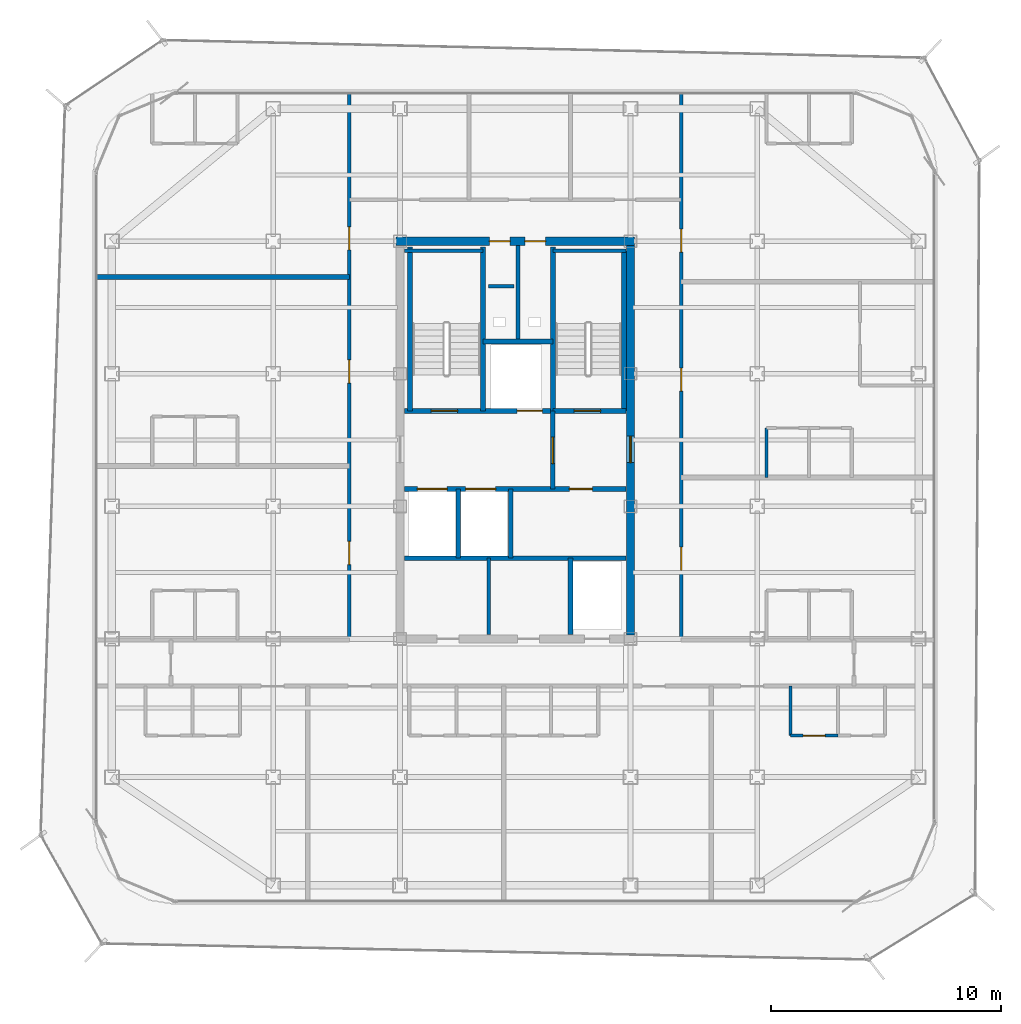
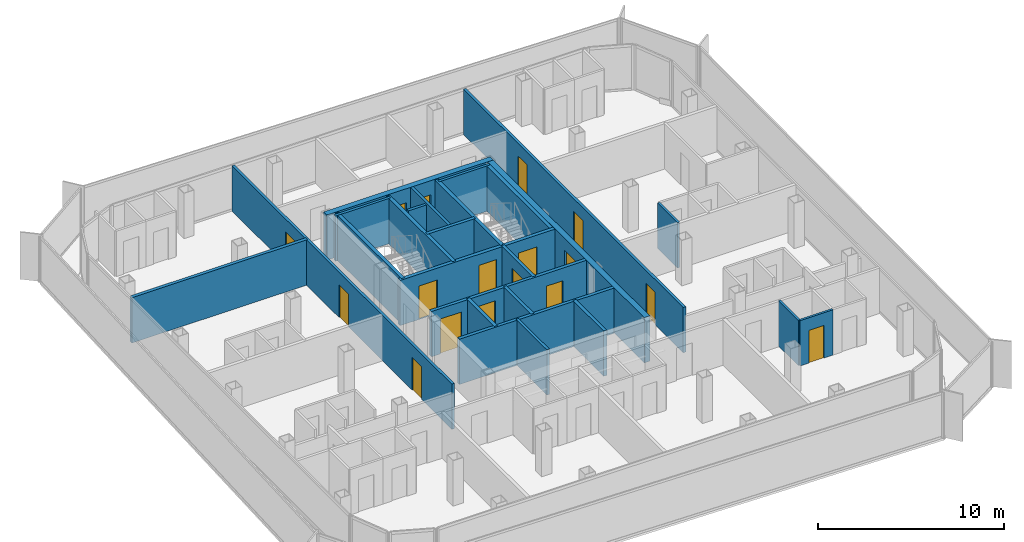
# One storey, part 11 of 16: 26 walls, 17 doors, 17 openings.
"""IFC4 building model written with IfcOpenShell, lengths in metres."""

from ifc_helpers import new_model, si_unit, direction, frame, frame_2d, origin, place, context, subcontext, project, spatial, rectangle, extrude, material, layer, layer_set, type_object, element, fill, save


model = new_model("IFC4")

# Units and contexts
model_context = context("Model", 3, precision=1e-05, world=origin(), true_north=direction((0.0, 1.0)))
body_context = subcontext(model_context, "Body", "Model", "MODEL_VIEW")
ifc_project = project(units=[si_unit("LENGTHUNIT", "METRE"), si_unit("AREAUNIT", "SQUARE_METRE"), si_unit("VOLUMEUNIT", "CUBIC_METRE"), si_unit("PLANEANGLEUNIT", "RADIAN"), si_unit("MASSUNIT", "GRAM", prefix="KILO")], contexts=[model_context])

# Site, building, storey
site_placement = place(None, origin())
site = spatial("IfcSite", under=ifc_project, at=site_placement, CompositionType="ELEMENT")
building_placement = place(site_placement, origin())
building = spatial("IfcBuilding", under=site, at=building_placement, Name="Kolveth Station Tower", CompositionType="ELEMENT")
storey_placement = place(building_placement, frame((0.0, 0.0, 232.89990234375)))
storey = spatial("IfcBuildingStorey", under=building, at=storey_placement, Name="L66", CompositionType="ELEMENT", Elevation=232.89990234375)

# Wall, openings, doors
ifc_material_1 = material(Name="Concrete C50/60", Category="concrete")
ifc_layer_1 = layer(ifc_material_1, 0.35009765625)
ifc_layer_set_1 = layer_set([ifc_layer_1], Name="Concrete C50/60")
wall_type_1 = type_object("IfcWallType", Name="Wall_CW-350", PredefinedType="SHEAR", material=ifc_layer_set_1)
wall_1_placement = place(storey_placement, frame((18.324951171875, 28.75, 0.0), z_axis=(0.0, 0.0, 1.0), x_axis=(1.0, 0.0, 0.0)))
wall_1 = element("IfcWall", 1, at=wall_1_placement, inside=storey, type_object=wall_type_1, Name="L66 Core RC Shear Wall N", PredefinedType="SHEAR", context=body_context, shape_type="SweptSolid", body=[
    extrude(rectangle(XDim=10.35009765625, YDim=0.35009765625, at=frame_2d((5.175048828125, 0.0))), origin(), (0.0, 0.0, 1.0), 2.97998046875),
])
opening_1_placement = place(wall_1_placement, frame((4.054931640625, 0.0, 0.0)))
opening_1 = element("IfcOpeningElement", 2, at=opening_1_placement, cuts=wall_1, Name="Opening RD1", PredefinedType="OPENING", context=body_context, shape_type="SweptSolid", body=[
    extrude(rectangle(XDim=0.89990234375, YDim=2.050048828125, at=frame_2d((0.449951171875, 1.02490234375))), frame((0.0, 0.18505859375, 0.0), z_axis=(0.0, -1.0, 0.0), x_axis=(1.0, 0.0, 0.0)), (0.0, 0.0, 1.0), 0.3701171875),
])
opening_2_placement = place(wall_1_placement, frame((5.594970703125, 0.0, 0.0)))
opening_2 = element("IfcOpeningElement", 3, at=opening_2_placement, cuts=wall_1, Name="Opening RD1", PredefinedType="OPENING", context=body_context, shape_type="SweptSolid", body=[
    extrude(rectangle(XDim=0.89990234375, YDim=2.050048828125, at=frame_2d((0.449951171875, 1.02490234375))), frame((0.0, 0.18505859375, 0.0), z_axis=(0.0, -1.0, 0.0), x_axis=(1.0, 0.0, 0.0)), (0.0, 0.0, 1.0), 0.3701171875),
])
ifc_material_2 = material(Name="Fire-rated Steel S355 riser access leaf", Category="steel")
door_type_1 = type_object("IfcDoorType", Name="Door_RD1", OperationType="NOTDEFINED", PredefinedType="DOOR", material=ifc_material_2)
door_1_placement = place(opening_1_placement, origin())
door_1 = element("IfcDoor", 4, at=door_1_placement, inside=storey, type_object=door_type_1, Name="L66 Electrical Riser Access Door", OperationType="SINGLE_SWING_RIGHT", OverallHeight=2.050048828125, OverallWidth=0.89990234375, PredefinedType="DOOR", context=body_context, shape_type="SweptSolid", body=[
    extrude(rectangle(XDim=0.89990234375, YDim=2.050048828125, at=frame_2d((0.449951171875, 1.02490234375))), frame((0.0, 0.02490234375, 0.0), z_axis=(0.0, -1.0, 0.0), x_axis=(1.0, 0.0, 0.0)), (0.0, 0.0, 1.0), 0.050048828125),
])
fill(opening_1, door_1)
door_2_placement = place(opening_2_placement, origin())
door_2 = element("IfcDoor", 5, at=door_2_placement, inside=storey, type_object=door_type_1, Name="L66 Smoke Duct Access Door", OperationType="SINGLE_SWING_LEFT", OverallHeight=2.050048828125, OverallWidth=0.89990234375, PredefinedType="DOOR", context=body_context, shape_type="SweptSolid", body=[
    extrude(rectangle(XDim=0.89990234375, YDim=2.050048828125, at=frame_2d((0.449951171875, 1.02490234375))), frame((0.0, 0.02490234375, 0.0), z_axis=(0.0, -1.0, 0.0), x_axis=(1.0, 0.0, 0.0)), (0.0, 0.0, 1.0), 0.050048828125),
])
fill(opening_2, door_2)

# Wall, opening, door
wall_2_placement = place(storey_placement, frame((28.5, 11.675048828125, 0.0), z_axis=(0.0, 0.0, 1.0), x_axis=(0.0, 1.0, 0.0)))
wall_2 = element("IfcWall", 6, at=wall_2_placement, inside=storey, type_object=wall_type_1, Name="L66 Core RC Shear Wall E", PredefinedType="SHEAR", context=body_context, shape_type="SweptSolid", body=[
    extrude(rectangle(XDim=16.89990234375, YDim=0.35009765625, at=frame_2d((8.449951171875, 0.0))), origin(), (0.0, 0.0, 1.0), 2.97998046875),
])
opening_3_placement = place(wall_2_placement, frame((7.47509765625, 0.0, 0.0)))
opening_3 = element("IfcOpeningElement", 7, at=opening_3_placement, cuts=wall_2, Name="Opening FD1", PredefinedType="OPENING", context=body_context, shape_type="SweptSolid", body=[
    extrude(rectangle(XDim=1.14990234375, YDim=2.199951171875, at=frame_2d((0.574951171875, 1.10009765625))), frame((0.0, 0.18505859375, 0.0), z_axis=(0.0, -1.0, 0.0), x_axis=(1.0, 0.0, 0.0)), (0.0, 0.0, 1.0), 0.3701171875),
])
ifc_material_3 = material(Name="Fire-rated Steel S355 leaf and frame", Category="steel")
door_type_2 = type_object("IfcDoorType", Name="Door_FD1", OperationType="NOTDEFINED", PredefinedType="DOOR", material=ifc_material_3)
door_3_placement = place(opening_3_placement, origin())
door_3 = element("IfcDoor", 8, at=door_3_placement, inside=storey, type_object=door_type_2, Name="L66 East Corridor to Stair Lobby Door", OperationType="SINGLE_SWING_LEFT", OverallHeight=2.199951171875, OverallWidth=1.14990234375, PredefinedType="DOOR", context=body_context, shape_type="SweptSolid", body=[
    extrude(rectangle(XDim=1.14990234375, YDim=2.199951171875, at=frame_2d((0.574951171875, 1.10009765625))), frame((0.0, 0.02490234375, 0.0), z_axis=(0.0, -1.0, 0.0), x_axis=(1.0, 0.0, 0.0)), (0.0, 0.0, 1.0), 0.050048828125),
])
fill(opening_3, door_3)

ifc_material_4 = material(Name="Moisture-resistant gypsum partition")
ifc_layer_2 = layer(ifc_material_4, 0.135009765625)
ifc_layer_set_2 = layer_set([ifc_layer_2], Name="Moisture-resistant gypsum partition")
wall_type_2 = type_object("IfcWallType", Name="Wall_IW-135", PredefinedType="PARTITIONING", material=ifc_layer_set_2)
wall_3_placement = place(storey_placement, frame((35.449951171875, 7.300048828125, 0.0), z_axis=(0.0, 0.0, 1.0), x_axis=(1.0, 0.0, 0.0)))
wall_3 = element("IfcWall", 9, at=wall_3_placement, inside=storey, type_object=wall_type_2, Name="L66 Partition Wall WL-L66-A4-IBHK", PredefinedType="PARTITIONING", context=body_context, shape_type="SweptSolid", body=[
    extrude(rectangle(XDim=2.050048828125, YDim=0.135009765625, at=frame_2d((1.02490234375, 0.0))), origin(), (0.0, 0.0, 1.0), 2.97998046875),
])
opening_4_placement = place(wall_3_placement, frame((0.544921875, 0.0, 0.0)))
opening_4 = element("IfcOpeningElement", 10, at=opening_4_placement, cuts=wall_3, Name="Opening ID1", PredefinedType="OPENING", context=body_context, shape_type="SweptSolid", body=[
    extrude(rectangle(XDim=0.949951171875, YDim=2.14990234375, at=frame_2d((0.47509765625, 1.074951171875))), frame((0.0, 0.077392578125, 0.0), z_axis=(0.0, -1.0, 0.0), x_axis=(1.0, 0.0, 0.0)), (0.0, 0.0, 1.0), 0.155029296875),
])
ifc_material_5 = material(Name="Acoustic hardwood leaf and aluminium frame", Category="wood")
door_type_3 = type_object("IfcDoorType", Name="Door_ID1", OperationType="NOTDEFINED", PredefinedType="DOOR", material=ifc_material_5)
door_4_placement = place(opening_4_placement, origin())
door_4 = element("IfcDoor", 11, at=door_4_placement, inside=storey, type_object=door_type_3, Name="Flat L66-A4 Kitchen Door", OperationType="SINGLE_SWING_LEFT", OverallHeight=2.14990234375, OverallWidth=0.949951171875, PredefinedType="DOOR", context=body_context, shape_type="SweptSolid", body=[
    extrude(rectangle(XDim=0.949951171875, YDim=2.14990234375, at=frame_2d((0.47509765625, 1.074951171875))), frame((0.0, 0.02490234375, 0.0), z_axis=(0.0, -1.0, 0.0), x_axis=(1.0, 0.0, 0.0)), (0.0, 0.0, 1.0), 0.050048828125),
])
fill(opening_4, door_4)

# Walls
for number, where, z_axis, x_axis, name in (
    (12, (35.449951171875, 7.300048828125, 0.0), (0.0, 0.0, 1.0), (0.0, 1.0, 0.0), "L66 Partition Wall WL-L66-A4-IBV0"),
    (13, (34.39990234375, 18.5, 0.0), (0.0, 0.0, 1.0), (0.0, 1.0, 0.0), "L66 Partition Wall WL-L66-E2-IBV0"),
):
    element("IfcWall", number, at=place(storey_placement, frame(where, z_axis=z_axis, x_axis=x_axis)), inside=storey, type_object=wall_type_2, Name=name, PredefinedType="PARTITIONING", context=body_context, shape_type="SweptSolid", body=[
        extrude(rectangle(XDim=2.14990234375, YDim=0.135009765625, at=frame_2d((1.074951171875, 0.0))), origin(), (0.0, 0.0, 1.0), 2.97998046875),
    ])
ifc_material_6 = material(Name="Acoustic double-stud gypsum partition")
ifc_layer_3 = layer(ifc_material_6, 0.1650390625)
ifc_layer_set_3 = layer_set([ifc_layer_3], Name="Acoustic double-stud gypsum partition")
wall_type_3 = type_object("IfcWallType", Name="Wall_IW-165", PredefinedType="PARTITIONING", material=ifc_layer_set_3)
wall_4_placement = place(storey_placement, frame((18.68505859375, 28.3349609375, 0.0), z_axis=(0.0, 0.0, 1.0), x_axis=(1.0, 0.0, 0.0)))
element("IfcWall", 14, at=wall_4_placement, inside=storey, type_object=wall_type_3, Name="L66 Stair Shaft Wall WL-L66-ST1-N", PredefinedType="PARTITIONING", context=body_context, shape_type="SweptSolid", body=[
    extrude(rectangle(XDim=3.425048828125, YDim=0.1650390625, at=frame_2d((1.71240234375, 0.0))), origin(), (0.0, 0.0, 1.0), 2.97998046875),
])
wall_5_placement = place(storey_placement, frame((25.1298828125, 28.3349609375, 0.0), z_axis=(0.0, 0.0, 1.0), x_axis=(1.0, 0.0, 0.0)))
element("IfcWall", 15, at=wall_5_placement, inside=storey, type_object=wall_type_3, Name="L66 Stair Shaft Wall WL-L66-ST2-N", PredefinedType="PARTITIONING", context=body_context, shape_type="SweptSolid", body=[
    extrude(rectangle(XDim=3.18505859375, YDim=0.1650390625, at=frame_2d((1.592529296875, 0.0))), origin(), (0.0, 0.0, 1.0), 2.97998046875),
])
wall_6_placement = place(storey_placement, frame((23.6201171875, 24.39990234375, 0.0), z_axis=(0.0, 0.0, 1.0), x_axis=(0.0, 1.0, 0.0)))
element("IfcWall", 16, at=wall_6_placement, inside=storey, type_object=wall_type_3, Name="L66 Partition Wall WL-L66-RSR-M", PredefinedType="PARTITIONING", context=body_context, shape_type="SweptSolid", body=[
    extrude(rectangle(XDim=4.1650390625, YDim=0.1650390625, at=frame_2d((2.08251953125, 0.0))), origin(), (0.0, 0.0, 1.0), 2.97998046875),
])
wall_7_placement = place(storey_placement, frame((22.35009765625, 11.68505859375, 0.0), z_axis=(0.0, 0.0, 1.0), x_axis=(0.0, 1.0, 0.0)))
element("IfcWall", 17, at=wall_7_placement, inside=storey, type_object=wall_type_3, Name="L66 Partition Wall WL-L66-FR-M", PredefinedType="PARTITIONING", context=body_context, shape_type="SweptSolid", body=[
    extrude(rectangle(XDim=3.31494140625, YDim=0.1650390625, at=frame_2d((1.657470703125, 0.0))), origin(), (0.0, 0.0, 1.0), 2.97998046875),
])

# Wall, openings, doors
wall_8_placement = place(storey_placement, frame((16.300048828125, 11.449951171875, 0.0), z_axis=(0.0, 0.0, 1.0), x_axis=(0.0, 1.0, 0.0)))
wall_8 = element("IfcWall", 18, at=wall_8_placement, inside=storey, type_object=wall_type_3, Name="L66 Partition Wall WL-L66-RW", PredefinedType="PARTITIONING", context=body_context, shape_type="SweptSolid", body=[
    extrude(rectangle(XDim=23.68994140625, YDim=0.1650390625, at=frame_2d((11.844970703125, 0.0))), origin(), (0.0, 0.0, 1.0), 2.97998046875),
])
opening_5_placement = place(wall_8_placement, frame((3.27490234375, 0.0, 0.0)))
opening_5 = element("IfcOpeningElement", 19, at=opening_5_placement, cuts=wall_8, Name="Opening FD3", PredefinedType="OPENING", context=body_context, shape_type="SweptSolid", body=[
    extrude(rectangle(XDim=1.0, YDim=2.14990234375, at=frame_2d((0.5, 1.074951171875))), frame((0.0, 0.092529296875, 0.0), z_axis=(0.0, -1.0, 0.0), x_axis=(1.0, 0.0, 0.0)), (0.0, 0.0, 1.0), 0.18505859375),
])
opening_6_placement = place(wall_8_placement, frame((11.14990234375, 0.0, 0.0)))
opening_6 = element("IfcOpeningElement", 20, at=opening_6_placement, cuts=wall_8, Name="Opening FD3", PredefinedType="OPENING", context=body_context, shape_type="SweptSolid", body=[
    extrude(rectangle(XDim=1.0, YDim=2.14990234375, at=frame_2d((0.5, 1.074951171875))), frame((0.0, 0.092529296875, 0.0), z_axis=(0.0, -1.0, 0.0), x_axis=(1.0, 0.0, 0.0)), (0.0, 0.0, 1.0), 0.18505859375),
])
opening_7_placement = place(wall_8_placement, frame((16.925048828125, 0.0, 0.0)))
opening_7 = element("IfcOpeningElement", 21, at=opening_7_placement, cuts=wall_8, Name="Opening FD3", PredefinedType="OPENING", context=body_context, shape_type="SweptSolid", body=[
    extrude(rectangle(XDim=1.0, YDim=2.14990234375, at=frame_2d((0.5, 1.074951171875))), frame((0.0, 0.092529296875, 0.0), z_axis=(0.0, -1.0, 0.0), x_axis=(1.0, 0.0, 0.0)), (0.0, 0.0, 1.0), 0.18505859375),
])
ifc_material_7 = material(Name="Fire-rated hardwood leaf and aluminium frame", Category="wood")
door_type_4 = type_object("IfcDoorType", Name="Door_FD3", OperationType="NOTDEFINED", PredefinedType="DOOR", material=ifc_material_7)
door_5_placement = place(opening_5_placement, origin())
door_5 = element("IfcDoor", 22, at=door_5_placement, inside=storey, type_object=door_type_4, Name="Flat L66-W1 Entrance Door", OperationType="SINGLE_SWING_RIGHT", OverallHeight=2.14990234375, OverallWidth=1.0, PredefinedType="DOOR", context=body_context, shape_type="SweptSolid", body=[
    extrude(rectangle(XDim=1.0, YDim=2.14990234375, at=frame_2d((0.5, 1.074951171875))), frame((0.0, 0.02490234375, 0.0), z_axis=(0.0, -1.0, 0.0), x_axis=(1.0, 0.0, 0.0)), (0.0, 0.0, 1.0), 0.050048828125),
])
fill(opening_5, door_5)
door_6_placement = place(opening_6_placement, origin())
door_6 = element("IfcDoor", 23, at=door_6_placement, inside=storey, type_object=door_type_4, Name="Flat L66-W2 Entrance Door", OperationType="SINGLE_SWING_LEFT", OverallHeight=2.14990234375, OverallWidth=1.0, PredefinedType="DOOR", context=body_context, shape_type="SweptSolid", body=[
    extrude(rectangle(XDim=1.0, YDim=2.14990234375, at=frame_2d((0.5, 1.074951171875))), frame((0.0, 0.02490234375, 0.0), z_axis=(0.0, -1.0, 0.0), x_axis=(1.0, 0.0, 0.0)), (0.0, 0.0, 1.0), 0.050048828125),
])
fill(opening_6, door_6)
door_7_placement = place(opening_7_placement, origin())
door_7 = element("IfcDoor", 24, at=door_7_placement, inside=storey, type_object=door_type_4, Name="Flat L66-W3 Entrance Door", OperationType="SINGLE_SWING_RIGHT", OverallHeight=2.14990234375, OverallWidth=1.0, PredefinedType="DOOR", context=body_context, shape_type="SweptSolid", body=[
    extrude(rectangle(XDim=1.0, YDim=2.14990234375, at=frame_2d((0.5, 1.074951171875))), frame((0.0, 0.02490234375, 0.0), z_axis=(0.0, -1.0, 0.0), x_axis=(1.0, 0.0, 0.0)), (0.0, 0.0, 1.0), 0.050048828125),
])
fill(opening_7, door_7)

wall_9_placement = place(storey_placement, frame((30.699951171875, 11.449951171875, 0.0), z_axis=(0.0, 0.0, 1.0), x_axis=(0.0, 1.0, 0.0)))
wall_9 = element("IfcWall", 25, at=wall_9_placement, inside=storey, type_object=wall_type_3, Name="L66 Partition Wall WL-L66-RE", PredefinedType="PARTITIONING", context=body_context, shape_type="SweptSolid", body=[
    extrude(rectangle(XDim=23.68994140625, YDim=0.1650390625, at=frame_2d((11.844970703125, 0.0))), origin(), (0.0, 0.0, 1.0), 2.97998046875),
])
opening_8_placement = place(wall_9_placement, frame((3.02490234375, 0.0, 0.0)))
opening_8 = element("IfcOpeningElement", 26, at=opening_8_placement, cuts=wall_9, Name="Opening FD3", PredefinedType="OPENING", context=body_context, shape_type="SweptSolid", body=[
    extrude(rectangle(XDim=1.0, YDim=2.14990234375, at=frame_2d((0.5, 1.074951171875))), frame((0.0, 0.092529296875, 0.0), z_axis=(0.0, -1.0, 0.0), x_axis=(1.0, 0.0, 0.0)), (0.0, 0.0, 1.0), 0.18505859375),
])
opening_9_placement = place(wall_9_placement, frame((10.800048828125, 0.0, 0.0)))
opening_9 = element("IfcOpeningElement", 27, at=opening_9_placement, cuts=wall_9, Name="Opening FD3", PredefinedType="OPENING", context=body_context, shape_type="SweptSolid", body=[
    extrude(rectangle(XDim=1.0, YDim=2.14990234375, at=frame_2d((0.5, 1.074951171875))), frame((0.0, 0.092529296875, 0.0), z_axis=(0.0, -1.0, 0.0), x_axis=(1.0, 0.0, 0.0)), (0.0, 0.0, 1.0), 0.18505859375),
])
opening_10_placement = place(wall_9_placement, frame((16.824951171875, 0.0, 0.0)))
opening_10 = element("IfcOpeningElement", 28, at=opening_10_placement, cuts=wall_9, Name="Opening FD3", PredefinedType="OPENING", context=body_context, shape_type="SweptSolid", body=[
    extrude(rectangle(XDim=1.0, YDim=2.14990234375, at=frame_2d((0.5, 1.074951171875))), frame((0.0, 0.092529296875, 0.0), z_axis=(0.0, -1.0, 0.0), x_axis=(1.0, 0.0, 0.0)), (0.0, 0.0, 1.0), 0.18505859375),
])
door_8_placement = place(opening_8_placement, frame((1.0, 0.0, 0.0), z_axis=(0.0, 0.0, 1.0), x_axis=(-1.0, 0.0, 0.0)))
door_8 = element("IfcDoor", 29, at=door_8_placement, inside=storey, type_object=door_type_4, Name="Flat L66-E1 Entrance Door", OperationType="SINGLE_SWING_LEFT", OverallHeight=2.14990234375, OverallWidth=1.0, PredefinedType="DOOR", context=body_context, shape_type="SweptSolid", body=[
    extrude(rectangle(XDim=1.0, YDim=2.14990234375, at=frame_2d((0.5, 1.074951171875))), frame((0.0, 0.02490234375, 0.0), z_axis=(0.0, -1.0, 0.0), x_axis=(1.0, 0.0, 0.0)), (0.0, 0.0, 1.0), 0.050048828125),
])
fill(opening_8, door_8)
door_9_placement = place(opening_9_placement, frame((1.0, 0.0, 0.0), z_axis=(0.0, 0.0, 1.0), x_axis=(-1.0, 0.0, 0.0)))
door_9 = element("IfcDoor", 30, at=door_9_placement, inside=storey, type_object=door_type_4, Name="Flat L66-E2 Entrance Door", OperationType="SINGLE_SWING_LEFT", OverallHeight=2.14990234375, OverallWidth=1.0, PredefinedType="DOOR", context=body_context, shape_type="SweptSolid", body=[
    extrude(rectangle(XDim=1.0, YDim=2.14990234375, at=frame_2d((0.5, 1.074951171875))), frame((0.0, 0.02490234375, 0.0), z_axis=(0.0, -1.0, 0.0), x_axis=(1.0, 0.0, 0.0)), (0.0, 0.0, 1.0), 0.050048828125),
])
fill(opening_9, door_9)
door_10_placement = place(opening_10_placement, frame((1.0, 0.0, 0.0), z_axis=(0.0, 0.0, 1.0), x_axis=(-1.0, 0.0, 0.0)))
door_10 = element("IfcDoor", 31, at=door_10_placement, inside=storey, type_object=door_type_4, Name="Flat L66-E3 Entrance Door", OperationType="SINGLE_SWING_RIGHT", OverallHeight=2.14990234375, OverallWidth=1.0, PredefinedType="DOOR", context=body_context, shape_type="SweptSolid", body=[
    extrude(rectangle(XDim=1.0, YDim=2.14990234375, at=frame_2d((0.5, 1.074951171875))), frame((0.0, 0.02490234375, 0.0), z_axis=(0.0, -1.0, 0.0), x_axis=(1.0, 0.0, 0.0)), (0.0, 0.0, 1.0), 0.050048828125),
])
fill(opening_10, door_10)

# Walls
wall_10_placement = place(storey_placement, frame((22.35009765625, 26.800048828125, 0.0), z_axis=(0.0, 0.0, 1.0), x_axis=(1.0, 0.0, 0.0)))
element("IfcWall", 32, at=wall_10_placement, inside=storey, type_object=wall_type_3, Name="L66 Acoustic Riser Dry-Lining Wall", PredefinedType="PARTITIONING", context=body_context, shape_type="SweptSolid", body=[
    extrude(rectangle(XDim=1.099853515625, YDim=0.1650390625, at=frame_2d((0.5498046875, 0.0))), origin(), (0.0, 0.0, 1.0), 2.97998046875),
])
ifc_material_8 = material(Name="Acoustic fire-rated gypsum blockwork", Category="masonry")
ifc_layer_4 = layer(ifc_material_8, 0.199951171875)
ifc_layer_set_4 = layer_set([ifc_layer_4], Name="Acoustic fire-rated gypsum blockwork")
wall_type_4 = type_object("IfcWallType", Name="Wall_IW-200", PredefinedType="PARTITIONING", material=ifc_layer_set_4)
wall_11_placement = place(storey_placement, frame((22.110107421875, 24.39990234375, 0.0), z_axis=(0.0, 0.0, 1.0), x_axis=(1.0, 0.0, 0.0)))
element("IfcWall", 33, at=wall_11_placement, inside=storey, type_object=wall_type_4, Name="L66 Partition Wall WL-L66-RSR-S", PredefinedType="PARTITIONING", context=body_context, shape_type="SweptSolid", body=[
    extrude(rectangle(XDim=3.019775390625, YDim=0.199951171875, at=frame_2d((1.509765625, 0.0))), origin(), (0.0, 0.0, 1.0), 2.97998046875),
])

# Wall, opening, door
wall_12_placement = place(storey_placement, frame((25.1298828125, 18.0, 0.0), z_axis=(0.0, 0.0, 1.0), x_axis=(0.0, 1.0, 0.0)))
wall_12 = element("IfcWall", 34, at=wall_12_placement, inside=storey, type_object=wall_type_4, Name="L66 Partition Wall WL-L66-FFL-E", PredefinedType="PARTITIONING", context=body_context, shape_type="SweptSolid", body=[
    extrude(rectangle(XDim=3.389892578125, YDim=0.199951171875, at=frame_2d((1.69482421875, 0.0))), origin(), (0.0, 0.0, 1.0), 2.97998046875),
])
opening_11_placement = place(wall_12_placement, frame((1.10009765625, 0.0, 0.0)))
opening_11 = element("IfcOpeningElement", 35, at=opening_11_placement, cuts=wall_12, Name="Opening FD1", PredefinedType="OPENING", context=body_context, shape_type="SweptSolid", body=[
    extrude(rectangle(XDim=1.14990234375, YDim=2.199951171875, at=frame_2d((0.574951171875, 1.10009765625))), frame((0.0, 0.10986328125, 0.0), z_axis=(0.0, -1.0, 0.0), x_axis=(1.0, 0.0, 0.0)), (0.0, 0.0, 1.0), 0.219970703125),
])
door_11_placement = place(opening_11_placement, origin())
door_11 = element("IfcDoor", 36, at=door_11_placement, inside=storey, type_object=door_type_2, Name="L66 Firefighting to Stair Lobby Door", OperationType="SINGLE_SWING_RIGHT", OverallHeight=2.199951171875, OverallWidth=1.14990234375, PredefinedType="DOOR", context=body_context, shape_type="SweptSolid", body=[
    extrude(rectangle(XDim=1.14990234375, YDim=2.199951171875, at=frame_2d((0.574951171875, 1.10009765625))), frame((0.0, 0.02490234375, 0.0), z_axis=(0.0, -1.0, 0.0), x_axis=(1.0, 0.0, 0.0)), (0.0, 0.0, 1.0), 0.050048828125),
])
fill(opening_11, door_11)

# Wall, openings, doors
wall_13_placement = place(storey_placement, frame((18.68505859375, 18.0, 0.0), z_axis=(0.0, 0.0, 1.0), x_axis=(1.0, 0.0, 0.0)))
wall_13 = element("IfcWall", 37, at=wall_13_placement, inside=storey, type_object=wall_type_4, Name="L66 Partition Wall WL-L66-FFL-S", PredefinedType="PARTITIONING", context=body_context, shape_type="SweptSolid", body=[
    extrude(rectangle(XDim=9.6298828125, YDim=0.199951171875, at=frame_2d((4.81494140625, 0.0))), origin(), (0.0, 0.0, 1.0), 2.97998046875),
])
opening_12_placement = place(wall_13_placement, frame((0.56494140625, 0.0, 0.0)))
opening_12 = element("IfcOpeningElement", 38, at=opening_12_placement, cuts=wall_13, Name="Opening LD2", PredefinedType="OPENING", context=body_context, shape_type="SweptSolid", body=[
    extrude(rectangle(XDim=1.300048828125, YDim=2.300048828125, at=frame_2d((0.64990234375, 1.14990234375))), frame((0.0, 0.10986328125, 0.0), z_axis=(0.0, -1.0, 0.0), x_axis=(1.0, 0.0, 0.0)), (0.0, 0.0, 1.0), 0.219970703125),
])
opening_13_placement = place(wall_13_placement, frame((2.6650390625, 0.0, 0.0)))
opening_13 = element("IfcOpeningElement", 39, at=opening_13_placement, cuts=wall_13, Name="Opening LD2", PredefinedType="OPENING", context=body_context, shape_type="SweptSolid", body=[
    extrude(rectangle(XDim=1.300048828125, YDim=2.300048828125, at=frame_2d((0.64990234375, 1.14990234375))), frame((0.0, 0.10986328125, 0.0), z_axis=(0.0, -1.0, 0.0), x_axis=(1.0, 0.0, 0.0)), (0.0, 0.0, 1.0), 0.219970703125),
])
opening_14_placement = place(wall_13_placement, frame((7.1650390625, 0.0, 0.0)))
opening_14 = element("IfcOpeningElement", 40, at=opening_14_placement, cuts=wall_13, Name="Opening FD3", PredefinedType="OPENING", context=body_context, shape_type="SweptSolid", body=[
    extrude(rectangle(XDim=1.0, YDim=2.14990234375, at=frame_2d((0.5, 1.074951171875))), frame((0.0, 0.10986328125, 0.0), z_axis=(0.0, -1.0, 0.0), x_axis=(1.0, 0.0, 0.0)), (0.0, 0.0, 1.0), 0.219970703125),
])
door_12_placement = place(opening_14_placement, frame((1.0, 0.0, 0.0), z_axis=(0.0, 0.0, 1.0), x_axis=(-1.0, 0.0, 0.0)))
door_12 = element("IfcDoor", 41, at=door_12_placement, inside=storey, type_object=door_type_4, Name="L66 Core Staff Pantry Door", OperationType="SINGLE_SWING_LEFT", OverallHeight=2.14990234375, OverallWidth=1.0, PredefinedType="DOOR", context=body_context, shape_type="SweptSolid", body=[
    extrude(rectangle(XDim=1.0, YDim=2.14990234375, at=frame_2d((0.5, 1.074951171875))), frame((0.0, 0.02490234375, 0.0), z_axis=(0.0, -1.0, 0.0), x_axis=(1.0, 0.0, 0.0)), (0.0, 0.0, 1.0), 0.050048828125),
])
fill(opening_14, door_12)
ifc_material_9 = material(Name="Firefighting stainless steel sliding landing doors", Category="steel")
door_type_5 = type_object("IfcDoorType", Name="Door_LD2", OperationType="NOTDEFINED", PredefinedType="DOOR", material=ifc_material_9)
door_13_placement = place(opening_12_placement, origin())
door_13 = element("IfcDoor", 42, at=door_13_placement, inside=storey, type_object=door_type_5, Name="L66 Firefighting Lift FF1 Landing Door", OperationType="DOUBLE_DOOR_SLIDING", OverallHeight=2.300048828125, OverallWidth=1.300048828125, PredefinedType="DOOR", context=body_context, shape_type="SweptSolid", body=[
    extrude(rectangle(XDim=1.300048828125, YDim=2.300048828125, at=frame_2d((0.64990234375, 1.14990234375))), frame((0.0, 0.02490234375, 0.0), z_axis=(0.0, -1.0, 0.0), x_axis=(1.0, 0.0, 0.0)), (0.0, 0.0, 1.0), 0.050048828125),
])
fill(opening_12, door_13)
door_14_placement = place(opening_13_placement, origin())
door_14 = element("IfcDoor", 43, at=door_14_placement, inside=storey, type_object=door_type_5, Name="L66 Firefighting Lift FF2 Landing Door", OperationType="DOUBLE_DOOR_SLIDING", OverallHeight=2.300048828125, OverallWidth=1.300048828125, PredefinedType="DOOR", context=body_context, shape_type="SweptSolid", body=[
    extrude(rectangle(XDim=1.300048828125, YDim=2.300048828125, at=frame_2d((0.64990234375, 1.14990234375))), frame((0.0, 0.02490234375, 0.0), z_axis=(0.0, -1.0, 0.0), x_axis=(1.0, 0.0, 0.0)), (0.0, 0.0, 1.0), 0.050048828125),
])
fill(opening_13, door_14)

# Walls
for number, where, z_axis, x_axis, name in (
    (44, (21.02001953125, 15.0, 0.0), (0.0, 0.0, 1.0), (0.0, 1.0, 0.0), "L66 Partition Wall WL-L66-FF12"),
    (45, (23.300048828125, 15.0, 0.0), (0.0, 0.0, 1.0), (0.0, 1.0, 0.0), "L66 Partition Wall WL-L66-FF2E"),
):
    element("IfcWall", number, at=place(storey_placement, frame(where, z_axis=z_axis, x_axis=x_axis)), inside=storey, type_object=wall_type_4, Name=name, PredefinedType="PARTITIONING", context=body_context, shape_type="SweptSolid", body=[
        extrude(rectangle(XDim=3.0, YDim=0.199951171875, at=frame_2d((1.5, 0.0))), origin(), (0.0, 0.0, 1.0), 2.97998046875),
    ])
wall_14_placement = place(storey_placement, frame((18.68505859375, 15.0, 0.0), z_axis=(0.0, 0.0, 1.0), x_axis=(1.0, 0.0, 0.0)))
element("IfcWall", 46, at=wall_14_placement, inside=storey, type_object=wall_type_4, Name="L66 Partition Wall WL-L66-BOH-S", PredefinedType="PARTITIONING", context=body_context, shape_type="SweptSolid", body=[
    extrude(rectangle(XDim=9.6298828125, YDim=0.199951171875, at=frame_2d((4.81494140625, 0.0))), origin(), (0.0, 0.0, 1.0), 2.97998046875),
])
wall_15_placement = place(storey_placement, frame((25.89990234375, 11.68505859375, 0.0), z_axis=(0.0, 0.0, 1.0), x_axis=(0.0, 1.0, 0.0)))
element("IfcWall", 47, at=wall_15_placement, inside=storey, type_object=wall_type_4, Name="L66 Partition Wall WL-L66-PMPH", PredefinedType="PARTITIONING", context=body_context, shape_type="SweptSolid", body=[
    extrude(rectangle(XDim=3.31494140625, YDim=0.199951171875, at=frame_2d((1.657470703125, 0.0))), origin(), (0.0, 0.0, 1.0), 2.97998046875),
])
wall_16_placement = place(storey_placement, frame((5.360107421875, 27.199951171875, 0.0), z_axis=(0.0, 0.0, 1.0), x_axis=(1.0, 0.0, 0.0)))
element("IfcWall", 48, at=wall_16_placement, inside=storey, type_object=wall_type_4, Name="L66 Partition Wall WL-L66-RWU-2", PredefinedType="PARTITIONING", context=body_context, shape_type="SweptSolid", body=[
    extrude(rectangle(XDim=10.93994140625, YDim=0.199951171875, at=frame_2d((5.469970703125, 0.0))), origin(), (0.0, 0.0, 1.0), 2.97998046875),
])
ifc_material_10 = material(Name="Concrete C40/50", Category="concrete")
ifc_layer_5 = layer(ifc_material_10, 0.219970703125)
ifc_layer_set_5 = layer_set([ifc_layer_5], Name="Concrete C40/50")
wall_type_5 = type_object("IfcWallType", Name="Wall_IW-220", PredefinedType="SOLIDWALL", material=ifc_layer_set_5)
for number, where, z_axis, x_axis, name in (
    (49, (18.929931640625, 21.389892578125, 0.0), (0.0, 0.0, 1.0), (0.0, 1.0, 0.0), "L66 Stair Shaft Wall WL-L66-ST1-W"),
    (50, (22.110107421875, 21.389892578125, 0.0), (0.0, 0.0, 1.0), (0.0, 1.0, 0.0), "L66 Stair Shaft Wall WL-L66-ST1-E"),
    (51, (25.1298828125, 21.389892578125, 0.0), (0.0, 0.0, 1.0), (0.0, 1.0, 0.0), "L66 Stair Shaft Wall WL-L66-ST2-W"),
):
    element("IfcWall", number, at=place(storey_placement, frame(where, z_axis=z_axis, x_axis=x_axis)), inside=storey, type_object=wall_type_5, Name=name, PredefinedType="SOLIDWALL", context=body_context, shape_type="SweptSolid", body=[
        extrude(rectangle(XDim=7.110107421875, YDim=0.219970703125, at=frame_2d((3.55517578125, 0.0))), origin(), (0.0, 0.0, 1.0), 2.97998046875),
    ])
wall_17_placement = place(storey_placement, frame((28.2099609375, 21.389892578125, 0.0), z_axis=(0.0, 0.0, 1.0), x_axis=(0.0, 1.0, 0.0)))
element("IfcWall", 52, at=wall_17_placement, inside=storey, type_object=wall_type_5, Name="L66 Stair Shaft Wall WL-L66-ST2-E", PredefinedType="SOLIDWALL", context=body_context, shape_type="SweptSolid", body=[
    extrude(rectangle(XDim=6.945068359375, YDim=0.219970703125, at=frame_2d((3.47265625, 0.0))), origin(), (0.0, 0.0, 1.0), 2.97998046875),
])

# Wall, openings, doors
wall_18_placement = place(storey_placement, frame((18.68505859375, 21.389892578125, 0.0), z_axis=(0.0, 0.0, 1.0), x_axis=(1.0, 0.0, 0.0)))
wall_18 = element("IfcWall", 53, at=wall_18_placement, inside=storey, type_object=wall_type_5, Name="L66 Stair Shaft Wall WL-L66-ST1-S", PredefinedType="SOLIDWALL", context=body_context, shape_type="SweptSolid", body=[
    extrude(rectangle(XDim=6.44482421875, YDim=0.219970703125, at=frame_2d((3.222412109375, 0.0))), origin(), (0.0, 0.0, 1.0), 2.97998046875),
])
opening_15_placement = place(wall_18_placement, frame((1.1650390625, 0.0, 0.0)))
opening_15 = element("IfcOpeningElement", 54, at=opening_15_placement, cuts=wall_18, Name="Opening FD1", PredefinedType="OPENING", context=body_context, shape_type="SweptSolid", body=[
    extrude(rectangle(XDim=1.14990234375, YDim=2.199951171875, at=frame_2d((0.574951171875, 1.10009765625))), frame((0.0, 0.119873046875, 0.0), z_axis=(0.0, -1.0, 0.0), x_axis=(1.0, 0.0, 0.0)), (0.0, 0.0, 1.0), 0.239990234375),
])
opening_16_placement = place(wall_18_placement, frame((4.89501953125, 0.0, 0.0)))
opening_16 = element("IfcOpeningElement", 55, at=opening_16_placement, cuts=wall_18, Name="Opening LD1", PredefinedType="OPENING", context=body_context, shape_type="SweptSolid", body=[
    extrude(rectangle(XDim=1.10009765625, YDim=2.25, at=frame_2d((0.550048828125, 1.125))), frame((0.0, 0.119873046875, 0.0), z_axis=(0.0, -1.0, 0.0), x_axis=(1.0, 0.0, 0.0)), (0.0, 0.0, 1.0), 0.239990234375),
])
door_15_placement = place(opening_15_placement, frame((1.14990234375, 0.0, 0.0), z_axis=(0.0, 0.0, 1.0), x_axis=(-1.0, 0.0, 0.0)))
door_15 = element("IfcDoor", 56, at=door_15_placement, inside=storey, type_object=door_type_2, Name="L66 Stair ST1 Fire Door", OperationType="SINGLE_SWING_RIGHT", OverallHeight=2.199951171875, OverallWidth=1.14990234375, PredefinedType="DOOR", context=body_context, shape_type="SweptSolid", body=[
    extrude(rectangle(XDim=1.14990234375, YDim=2.199951171875, at=frame_2d((0.574951171875, 1.10009765625))), frame((0.0, 0.02490234375, 0.0), z_axis=(0.0, -1.0, 0.0), x_axis=(1.0, 0.0, 0.0)), (0.0, 0.0, 1.0), 0.050048828125),
])
fill(opening_15, door_15)
ifc_material_11 = material(Name="Brushed stainless steel sliding landing doors", Category="steel")
door_type_6 = type_object("IfcDoorType", Name="Door_LD1", OperationType="NOTDEFINED", PredefinedType="DOOR", material=ifc_material_11)
door_16_placement = place(opening_16_placement, frame((1.10009765625, 0.0, 0.0), z_axis=(0.0, 0.0, 1.0), x_axis=(-1.0, 0.0, 0.0)))
door_16 = element("IfcDoor", 57, at=door_16_placement, inside=storey, type_object=door_type_6, Name="L66 Service Lift SV1 Landing Door", OperationType="DOUBLE_DOOR_SLIDING", OverallHeight=2.25, OverallWidth=1.10009765625, PredefinedType="DOOR", context=body_context, shape_type="SweptSolid", body=[
    extrude(rectangle(XDim=1.10009765625, YDim=2.25, at=frame_2d((0.550048828125, 1.125))), frame((0.0, 0.02490234375, 0.0), z_axis=(0.0, -1.0, 0.0), x_axis=(1.0, 0.0, 0.0)), (0.0, 0.0, 1.0), 0.050048828125),
])
fill(opening_16, door_16)

# Wall, opening, door
wall_19_placement = place(storey_placement, frame((25.1298828125, 21.389892578125, 0.0), z_axis=(0.0, 0.0, 1.0), x_axis=(1.0, 0.0, 0.0)))
wall_19 = element("IfcWall", 58, at=wall_19_placement, inside=storey, type_object=wall_type_5, Name="L66 Stair Shaft Wall WL-L66-ST2-S", PredefinedType="SOLIDWALL", context=body_context, shape_type="SweptSolid", body=[
    extrude(rectangle(XDim=3.18505859375, YDim=0.219970703125, at=frame_2d((1.592529296875, 0.0))), origin(), (0.0, 0.0, 1.0), 2.97998046875),
])
opening_17_placement = place(wall_19_placement, frame((0.919921875, 0.0, 0.0)))
opening_17 = element("IfcOpeningElement", 59, at=opening_17_placement, cuts=wall_19, Name="Opening FD1", PredefinedType="OPENING", context=body_context, shape_type="SweptSolid", body=[
    extrude(rectangle(XDim=1.14990234375, YDim=2.199951171875, at=frame_2d((0.574951171875, 1.10009765625))), frame((0.0, 0.119873046875, 0.0), z_axis=(0.0, -1.0, 0.0), x_axis=(1.0, 0.0, 0.0)), (0.0, 0.0, 1.0), 0.239990234375),
])
door_17_placement = place(opening_17_placement, frame((1.14990234375, 0.0, 0.0), z_axis=(0.0, 0.0, 1.0), x_axis=(-1.0, 0.0, 0.0)))
door_17 = element("IfcDoor", 60, at=door_17_placement, inside=storey, type_object=door_type_2, Name="L66 Stair ST2 Fire Door", OperationType="SINGLE_SWING_LEFT", OverallHeight=2.199951171875, OverallWidth=1.14990234375, PredefinedType="DOOR", context=body_context, shape_type="SweptSolid", body=[
    extrude(rectangle(XDim=1.14990234375, YDim=2.199951171875, at=frame_2d((0.574951171875, 1.10009765625))), frame((0.0, 0.02490234375, 0.0), z_axis=(0.0, -1.0, 0.0), x_axis=(1.0, 0.0, 0.0)), (0.0, 0.0, 1.0), 0.050048828125),
])
fill(opening_17, door_17)

save(model, "model.ifc")
